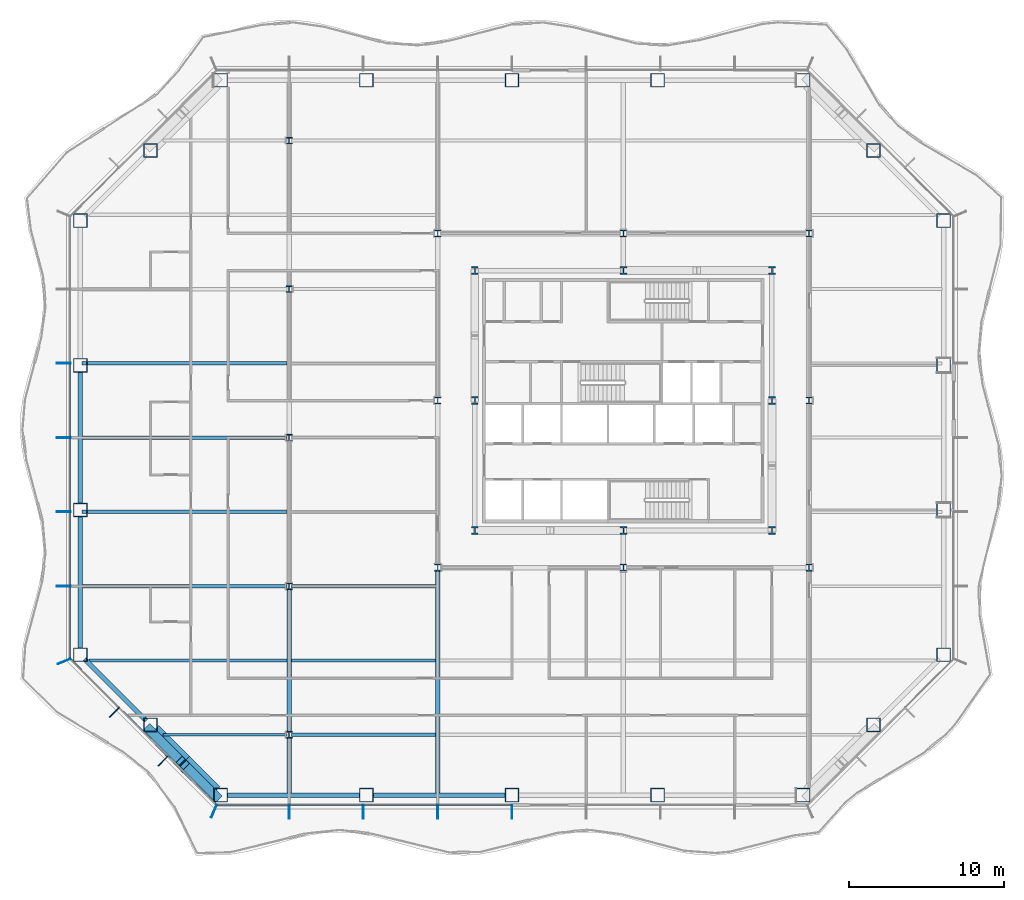
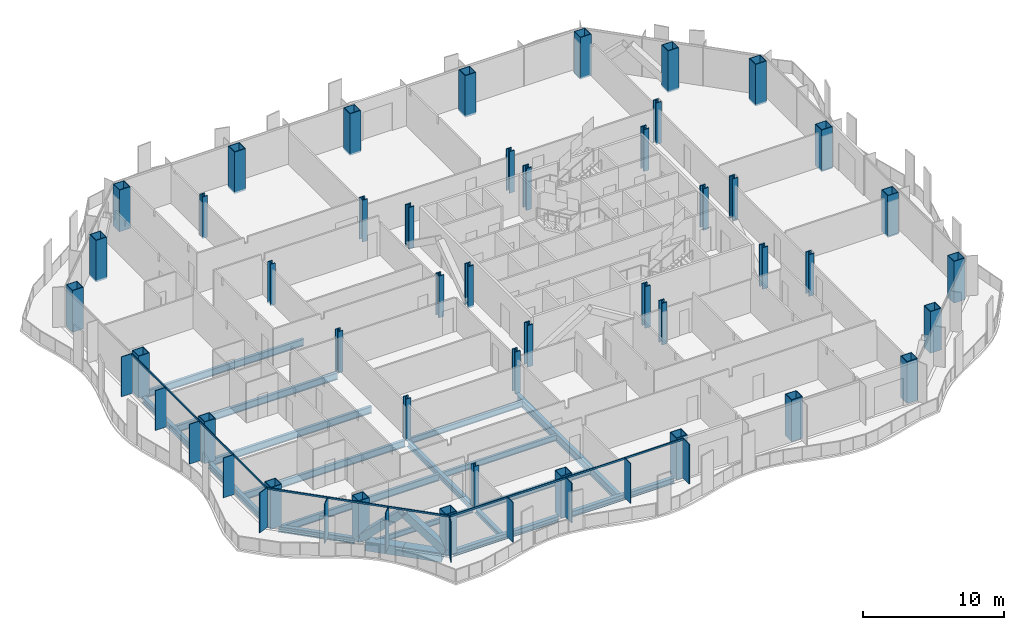
# One storey, part 1 of 17: 43 columns, 25 members, 19 beams, 3 elements without a shape of their own.
"""IFC4 building model written with IfcOpenShell, lengths in metres."""

from ifc_helpers import new_model, si_unit, direction, frame, origin, origin_2d, place, context, subcontext, project, spatial, rectangle, hollow_rectangle, i_section, extrude, material, material_profile, profile_set, type_object, element, aggregate, save


model = new_model("IFC4")

# Units and contexts
model_context = context("Model", 3, precision=1e-05, world=origin(), true_north=direction((0.0, 1.0)))
body_context = subcontext(model_context, "Body", "Model", "MODEL_VIEW")
ifc_project = project(units=[si_unit("LENGTHUNIT", "METRE"), si_unit("AREAUNIT", "SQUARE_METRE"), si_unit("VOLUMEUNIT", "CUBIC_METRE"), si_unit("PLANEANGLEUNIT", "RADIAN"), si_unit("MASSUNIT", "GRAM", prefix="KILO")], contexts=[model_context])

# Site, building, storey
site_placement = place(None, origin())
site = spatial("IfcSite", under=ifc_project, at=site_placement, CompositionType="ELEMENT")
building_placement = place(site_placement, origin())
building = spatial("IfcBuilding", under=site, at=building_placement, Name="Cairn Pilgrim Tower", CompositionType="ELEMENT")
storey_placement = place(building_placement, frame((0.0, 0.0, 79.800048828125)))
storey = spatial("IfcBuildingStorey", under=building, at=storey_placement, Name="L18", CompositionType="ELEMENT", Elevation=79.800048828125)

# Columns
ifc_material_1 = material(Name="Structural steel S460M", Category="steel")
ifc_material_profile_1 = material_profile(ifc_material_1, hollow_rectangle(XDim=0.89990234375, YDim=0.89990234375, WallThickness=0.050048828125, at=origin_2d()), Name="BOX 900x900x50")
ifc_profile_set_1 = profile_set([ifc_material_profile_1], Name="Structural steel S460M")
column_type_1 = type_object("IfcColumnType", Name="BOX 900x900x50", PredefinedType="COLUMN", material=ifc_profile_set_1)
for number, where, z_axis, x_axis, name in (
    (1, (-18.8271484375, -23.10009765625, -0.150146484375), (0.0, 0.0, 1.0), (1.0, 0.0, 0.0), "PC1-S1"),
    (2, (-9.41357421875, -23.10009765625, -0.150146484375), (0.0, 0.0, 1.0), (1.0, 0.0, 0.0), "PC1-S2"),
    (3, (0.0, -23.10009765625, -0.150146484375), (0.0, 0.0, 1.0), (1.0, 0.0, 0.0), "PC1-S3"),
    (4, (9.41357421875, -23.10009765625, -0.150146484375), (0.0, 0.0, 1.0), (1.0, 0.0, 0.0), "PC1-S4"),
    (5, (18.8271484375, -23.10009765625, -0.150146484375), (0.0, 0.0, 1.0), (1.0, 0.0, 0.0), "PC1-SE1"),
    (6, (23.363525390625, -18.563720703125, -0.150146484375), (0.0, 0.0, 1.0), (1.0, 0.0, 0.0), "PC1-SE2"),
    (7, (27.89990234375, -14.027099609375, -0.150146484375), (0.0, 0.0, 1.0), (1.0, 0.0, 0.0), "PC1-E1"),
    (8, (27.89990234375, -4.67578125, -0.150146484375), (0.0, 0.0, 1.0), (1.0, 0.0, 0.0), "PC1-E2"),
    (9, (27.89990234375, 4.67578125, -0.150146484375), (0.0, 0.0, 1.0), (1.0, 0.0, 0.0), "PC1-E3"),
    (10, (27.89990234375, 14.027099609375, -0.150146484375), (0.0, 0.0, 1.0), (1.0, 0.0, 0.0), "PC1-NE1"),
    (11, (23.363525390625, 18.563720703125, -0.150146484375), (0.0, 0.0, 1.0), (1.0, 0.0, 0.0), "PC1-NE2"),
    (12, (18.8271484375, 23.10009765625, -0.150146484375), (0.0, 0.0, 1.0), (1.0, 0.0, 0.0), "PC1-N1"),
    (13, (9.41357421875, 23.10009765625, -0.150146484375), (0.0, 0.0, 1.0), (1.0, 0.0, 0.0), "PC1-N2"),
    (14, (0.0, 23.10009765625, -0.150146484375), (0.0, 0.0, 1.0), (1.0, 0.0, 0.0), "PC1-N3"),
    (15, (-9.41357421875, 23.10009765625, -0.150146484375), (0.0, 0.0, 1.0), (1.0, 0.0, 0.0), "PC1-N4"),
    (16, (-18.8271484375, 23.10009765625, -0.150146484375), (0.0, 0.0, 1.0), (1.0, 0.0, 0.0), "PC1-NW1"),
    (17, (-23.363525390625, 18.563720703125, -0.150146484375), (0.0, 0.0, 1.0), (1.0, 0.0, 0.0), "PC1-NW2"),
    (18, (-27.89990234375, 14.027099609375, -0.150146484375), (0.0, 0.0, 1.0), (1.0, 0.0, 0.0), "PC1-W1"),
    (19, (-27.89990234375, 4.67578125, -0.150146484375), (0.0, 0.0, 1.0), (1.0, 0.0, 0.0), "PC1-W2"),
    (20, (-27.89990234375, -4.67578125, -0.150146484375), (0.0, 0.0, 1.0), (1.0, 0.0, 0.0), "PC1-W3"),
    (21, (-27.89990234375, -14.027099609375, -0.150146484375), (0.0, 0.0, 1.0), (1.0, 0.0, 0.0), "PC1-SW1"),
    (22, (-23.363525390625, -18.563720703125, -0.150146484375), (0.0, 0.0, 1.0), (1.0, 0.0, 0.0), "PC1-SW2"),
):
    element("IfcColumn", number, at=place(storey_placement, frame(where, z_axis=z_axis, x_axis=x_axis)), inside=storey, type_object=column_type_1, Name=name, PredefinedType="COLUMN", context=body_context, shape_type="SweptSolid", body=[
        extrude(hollow_rectangle(XDim=0.89990234375, YDim=0.89990234375, WallThickness=0.050048828125, at=origin_2d()), origin(), (0.0, 0.0, 1.0), 3.60009765625),
    ])
ifc_material_profile_2 = material_profile(ifc_material_1, i_section(OverallWidth=0.408935546875, OverallDepth=0.425048828125, WebThickness=0.03271484375, FlangeThickness=0.052490234375, FilletRadius=0.014892578125, at=origin_2d()), Name="HD 400x421")
ifc_profile_set_2 = profile_set([ifc_material_profile_2], Name="Structural steel S460M")
column_type_2 = type_object("IfcColumnType", Name="HD 400x421", PredefinedType="COLUMN", material=ifc_profile_set_2)
for number, where, z_axis, x_axis, name in (
    (23, (-14.39990234375, -19.199951171875, -0.150146484375), (0.0, 0.0, 1.0), (1.0, 0.0, 0.0), "WC-WW-4"),
    (24, (-14.39990234375, -9.60009765625, -0.150146484375), (0.0, 0.0, 1.0), (1.0, 0.0, 0.0), "WC-WW-2"),
    (25, (-14.39990234375, 0.0, -0.150146484375), (0.0, 0.0, 1.0), (1.0, 0.0, 0.0), "WC-WW+0"),
    (26, (-14.39990234375, 9.60009765625, -0.150146484375), (0.0, 0.0, 1.0), (1.0, 0.0, 0.0), "WC-WW+2"),
    (27, (-14.39990234375, 19.199951171875, -0.150146484375), (0.0, 0.0, 1.0), (1.0, 0.0, 0.0), "WC-WW+4"),
):
    element("IfcColumn", number, at=place(storey_placement, frame(where, z_axis=z_axis, x_axis=x_axis)), inside=storey, type_object=column_type_2, Name=name, PredefinedType="COLUMN", context=body_context, shape_type="SweptSolid", body=[
        extrude(i_section(OverallWidth=0.408935546875, OverallDepth=0.425048828125, WebThickness=0.03271484375, FlangeThickness=0.052490234375, FilletRadius=0.014892578125, at=origin_2d()), origin(), (0.0, 0.0, 1.0), 3.60009765625),
    ])
ifc_material_profile_3 = material_profile(ifc_material_1, i_section(OverallWidth=0.424072265625, OverallDepth=0.47412109375, WebThickness=0.047607421875, FlangeThickness=0.0771484375, FilletRadius=0.014892578125, at=origin_2d()), Name="HD 400x634")
ifc_profile_set_3 = profile_set([ifc_material_profile_3], Name="Structural steel S460M")
column_type_3 = type_object("IfcColumnType", Name="HD 400x634", PredefinedType="COLUMN", material=ifc_profile_set_3)
for number, where, z_axis, x_axis, name in (
    (28, (-4.800048828125, -8.39990234375, -0.150146484375), (0.0, 0.0, 1.0), (1.0, 0.0, 0.0), "IC-1"),
    (29, (7.199951171875, -8.39990234375, -0.150146484375), (0.0, 0.0, 1.0), (1.0, 0.0, 0.0), "IC-2"),
    (30, (19.199951171875, -8.39990234375, -0.150146484375), (0.0, 0.0, 1.0), (1.0, 0.0, 0.0), "IC-3"),
    (31, (-4.800048828125, 2.39990234375, -0.150146484375), (0.0, 0.0, 1.0), (1.0, 0.0, 0.0), "IC-4"),
    (32, (19.199951171875, 2.39990234375, -0.150146484375), (0.0, 0.0, 1.0), (1.0, 0.0, 0.0), "IC-5"),
    (33, (-4.800048828125, 13.199951171875, -0.150146484375), (0.0, 0.0, 1.0), (1.0, 0.0, 0.0), "IC-6"),
    (34, (7.199951171875, 13.199951171875, -0.150146484375), (0.0, 0.0, 1.0), (1.0, 0.0, 0.0), "IC-7"),
    (35, (19.199951171875, 13.199951171875, -0.150146484375), (0.0, 0.0, 1.0), (1.0, 0.0, 0.0), "IC-8"),
):
    element("IfcColumn", number, at=place(storey_placement, frame(where, z_axis=z_axis, x_axis=x_axis)), inside=storey, type_object=column_type_3, Name=name, PredefinedType="COLUMN", context=body_context, shape_type="SweptSolid", body=[
        extrude(i_section(OverallWidth=0.424072265625, OverallDepth=0.47412109375, WebThickness=0.047607421875, FlangeThickness=0.0771484375, FilletRadius=0.014892578125, at=origin_2d()), origin(), (0.0, 0.0, 1.0), 3.60009765625),
    ])
ifc_material_profile_4 = material_profile(ifc_material_1, i_section(OverallWidth=0.43701171875, OverallDepth=0.513916015625, WebThickness=0.060546875, FlangeThickness=0.096923828125, FilletRadius=0.014892578125, at=origin_2d()), Name="HD 400x818")
ifc_profile_set_4 = profile_set([ifc_material_profile_4], Name="Structural steel S460M")
column_type_4 = type_object("IfcColumnType", Name="HD 400x818", PredefinedType="COLUMN", material=ifc_profile_set_4)
for number, where, z_axis, x_axis, name in (
    (36, (-2.39990234375, -6.0, -0.150146484375), (0.0, 0.0, 1.0), (1.0, 0.0, 0.0), "KC-1"),
    (37, (7.199951171875, -6.0, -0.150146484375), (0.0, 0.0, 1.0), (1.0, 0.0, 0.0), "KC-2"),
    (38, (16.800048828125, -6.0, -0.150146484375), (0.0, 0.0, 1.0), (1.0, 0.0, 0.0), "KC-3"),
    (39, (-2.39990234375, 2.39990234375, -0.150146484375), (0.0, 0.0, 1.0), (1.0, 0.0, 0.0), "KC-4"),
    (40, (16.800048828125, 2.39990234375, -0.150146484375), (0.0, 0.0, 1.0), (1.0, 0.0, 0.0), "KC-5"),
    (41, (-2.39990234375, 10.800048828125, -0.150146484375), (0.0, 0.0, 1.0), (1.0, 0.0, 0.0), "KC-6"),
    (42, (7.199951171875, 10.800048828125, -0.150146484375), (0.0, 0.0, 1.0), (1.0, 0.0, 0.0), "KC-7"),
    (43, (16.800048828125, 10.800048828125, -0.150146484375), (0.0, 0.0, 1.0), (1.0, 0.0, 0.0), "KC-8"),
):
    element("IfcColumn", number, at=place(storey_placement, frame(where, z_axis=z_axis, x_axis=x_axis)), inside=storey, type_object=column_type_4, Name=name, PredefinedType="COLUMN", context=body_context, shape_type="SweptSolid", body=[
        extrude(i_section(OverallWidth=0.43701171875, OverallDepth=0.513916015625, WebThickness=0.060546875, FlangeThickness=0.096923828125, FilletRadius=0.014892578125, at=origin_2d()), origin(), (0.0, 0.0, 1.0), 3.60009765625),
    ])

# Members
ifc_material_profile_5 = material_profile(ifc_material_1, hollow_rectangle(XDim=0.60009765625, YDim=0.60009765625, WallThickness=0.034912109375, at=origin_2d()), Name="BOX 600x600x35")
ifc_profile_set_5 = profile_set([ifc_material_profile_5], Name="Structural steel S460M")
member_type_1 = type_object("IfcMemberType", Name="BOX 600x600x35 BRACE", PredefinedType="BRACE", material=ifc_profile_set_5)
for number, where, z_axis, x_axis, name in (
    (44, (-23.4873046875, -18.814697265625, 0.14990234375), (0.528939327604, -0.528877844478, 0.663710338426), (0.70706568108, 0.707147878904, 0.0), "XB-SW2-S1-1"),
    (45, (-19.078125, -23.2236328125, 0.14990234375), (-0.52892212789, 0.52892212789, 0.663688756314), (-0.707106781187, -0.707106781187, 0.0), "XB-SW2-S1-2"),
):
    element("IfcMember", number, at=place(storey_placement, frame(where, z_axis=z_axis, x_axis=x_axis)), inside=storey, type_object=member_type_1, Name=name, PredefinedType="BRACE", context=body_context, shape_type="SweptSolid", body=[
        extrude(hollow_rectangle(XDim=0.60009765625, YDim=0.60009765625, WallThickness=0.034912109375, at=origin_2d()), origin(), (0.0, 0.0, 1.0), 3.970947265625),
    ])

# Beams
ifc_material_2 = material(Name="Structural steel S355J2", Category="steel")
ifc_material_profile_6 = material_profile(ifc_material_2, hollow_rectangle(XDim=0.699951171875, YDim=0.800048828125, WallThickness=0.0400390625, at=origin_2d()), Name="BOX 700x800x40")
ifc_profile_set_6 = profile_set([ifc_material_profile_6], Name="Structural steel S355J2")
beam_type_1 = type_object("IfcBeamType", Name="BOX 700x800x40 RING GIRDER", PredefinedType="SPANDREL", material=ifc_profile_set_6)
beam_1_placement = place(storey_placement, frame((-23.0771484375, -18.85009765625, -0.550048828125), z_axis=(0.707106781187, -0.707106781187, 0.0), x_axis=(0.707106781187, 0.707106781187, 0.0)))
element("IfcBeam", 46, at=beam_1_placement, inside=storey, type_object=beam_type_1, Name="RG1-SW2-S1-1", PredefinedType="SPANDREL", context=body_context, shape_type="SweptSolid", body=[
    extrude(hollow_rectangle(XDim=0.699951171875, YDim=0.800048828125, WallThickness=0.0400390625, at=origin_2d()), origin(), (0.0, 0.0, 1.0), 2.802490234375),
])
beam_2_placement = place(storey_placement, frame((-21.095458984375, -20.831787109375, -0.550048828125), z_axis=(0.707106781187, -0.707106781187, 0.0), x_axis=(0.707106781187, 0.707106781187, 0.0)))
element("IfcBeam", 47, at=beam_2_placement, inside=storey, type_object=beam_type_1, Name="RG1-SW2-S1-2", PredefinedType="SPANDREL", context=body_context, shape_type="SweptSolid", body=[
    extrude(hollow_rectangle(XDim=0.699951171875, YDim=0.800048828125, WallThickness=0.0400390625, at=origin_2d()), origin(), (0.0, 0.0, 1.0), 2.802978515625),
])

# Curtain wall, members
ifc_material_3 = material(Name="Aluminium alloy 6063-T6 bronze anodised with Bronze tinted laminated low-E glass 8+16+8.8", Category="aluminium")
curtain_wall_type_1 = type_object("IfcCurtainWallType", Name="TOWER STICK CURTAIN WALL NS", PredefinedType="NOTDEFINED", material=ifc_material_3)
curtain_wall_1_placement = place(storey_placement, origin())
curtain_wall_1 = element("IfcCurtainWall", 48, at=curtain_wall_1_placement, inside=storey, type_object=curtain_wall_type_1, Name="Tower Stick Curtain Wall Ns S", PredefinedType="NOTDEFINED")
ifc_material_4 = material(Name="Aluminium alloy 6063-T6 bronze anodised", Category="aluminium")
ifc_material_profile_7 = material_profile(ifc_material_4, rectangle(XDim=0.89990234375, YDim=0.06005859375, at=origin_2d()), Name="FIN MULLION 60x900 BRONZE")
ifc_profile_set_7 = profile_set([ifc_material_profile_7], Name="Aluminium alloy 6063-T6 bronze anodised")
member_type_2 = type_object("IfcMemberType", Name="FIN MULLION 60x900 BRONZE", PredefinedType="MULLION", material=ifc_profile_set_7)
member_1_placement = place(storey_placement, frame((-19.257080078125, -24.137939453125, 0.0), z_axis=(0.0, 0.0, 1.0), x_axis=(-0.382683432365, -0.923879532511, 0.0)))
member_1 = element("IfcMember", 49, at=member_1_placement, type_object=member_type_2, Name="Fin mullion S1", PredefinedType="MULLION", context=body_context, shape_type="SweptSolid", body=[
    extrude(rectangle(XDim=0.89990234375, YDim=0.06005859375, at=origin_2d()), origin(), (0.0, 0.0, 1.0), 3.449951171875),
])
member_2_placement = place(storey_placement, frame((-14.39990234375, -24.169921875, 0.0), z_axis=(0.0, 0.0, 1.0), x_axis=(0.0, -1.0, 0.0)))
member_2 = element("IfcMember", 50, at=member_2_placement, type_object=member_type_2, Name="Fin mullion S2", PredefinedType="MULLION", context=body_context, shape_type="SweptSolid", body=[
    extrude(rectangle(XDim=0.89990234375, YDim=0.06005859375, at=origin_2d()), origin(), (0.0, 0.0, 1.0), 3.449951171875),
])
member_3_placement = place(storey_placement, frame((-9.60009765625, -24.169921875, 0.0), z_axis=(0.0, 0.0, 1.0), x_axis=(0.0, -1.0, 0.0)))
member_3 = element("IfcMember", 51, at=member_3_placement, type_object=member_type_2, Name="Fin mullion S3", PredefinedType="MULLION", context=body_context, shape_type="SweptSolid", body=[
    extrude(rectangle(XDim=0.89990234375, YDim=0.06005859375, at=origin_2d()), origin(), (0.0, 0.0, 1.0), 3.449951171875),
])
member_4_placement = place(storey_placement, frame((-4.800048828125, -24.169921875, 0.0), z_axis=(0.0, 0.0, 1.0), x_axis=(0.0, -1.0, 0.0)))
member_4 = element("IfcMember", 52, at=member_4_placement, type_object=member_type_2, Name="Fin mullion S4", PredefinedType="MULLION", context=body_context, shape_type="SweptSolid", body=[
    extrude(rectangle(XDim=0.89990234375, YDim=0.06005859375, at=origin_2d()), origin(), (0.0, 0.0, 1.0), 3.449951171875),
])
member_5_placement = place(storey_placement, frame((0.0, -24.169921875, 0.0), z_axis=(0.0, 0.0, 1.0), x_axis=(0.0, -1.0, 0.0)))
member_5 = element("IfcMember", 53, at=member_5_placement, type_object=member_type_2, Name="Fin mullion S5", PredefinedType="MULLION", context=body_context, shape_type="SweptSolid", body=[
    extrude(rectangle(XDim=0.89990234375, YDim=0.06005859375, at=origin_2d()), origin(), (0.0, 0.0, 1.0), 3.449951171875),
])

curtain_wall_type_2 = type_object("IfcCurtainWallType", Name="TOWER STICK CURTAIN WALL EW", PredefinedType="NOTDEFINED", material=ifc_material_3)
curtain_wall_2_placement = place(storey_placement, origin())
curtain_wall_2 = element("IfcCurtainWall", 54, at=curtain_wall_2_placement, inside=storey, type_object=curtain_wall_type_2, Name="Tower Stick Curtain Wall Ew W", PredefinedType="NOTDEFINED")
member_6_placement = place(storey_placement, frame((-28.969970703125, 4.800048828125, 0.0), z_axis=(0.0, 0.0, 1.0), x_axis=(-1.0, 0.0, 0.0)))
member_6 = element("IfcMember", 55, at=member_6_placement, type_object=member_type_2, Name="Fin mullion W3", PredefinedType="MULLION", context=body_context, shape_type="SweptSolid", body=[
    extrude(rectangle(XDim=0.89990234375, YDim=0.06005859375, at=origin_2d()), origin(), (0.0, 0.0, 1.0), 3.449951171875),
])
member_7_placement = place(storey_placement, frame((-28.969970703125, 0.0, 0.0), z_axis=(0.0, 0.0, 1.0), x_axis=(-1.0, 0.0, 0.0)))
member_7 = element("IfcMember", 56, at=member_7_placement, type_object=member_type_2, Name="Fin mullion W4", PredefinedType="MULLION", context=body_context, shape_type="SweptSolid", body=[
    extrude(rectangle(XDim=0.89990234375, YDim=0.06005859375, at=origin_2d()), origin(), (0.0, 0.0, 1.0), 3.449951171875),
])
member_8_placement = place(storey_placement, frame((-28.969970703125, -4.800048828125, 0.0), z_axis=(0.0, 0.0, 1.0), x_axis=(-1.0, 0.0, 0.0)))
member_8 = element("IfcMember", 57, at=member_8_placement, type_object=member_type_2, Name="Fin mullion W5", PredefinedType="MULLION", context=body_context, shape_type="SweptSolid", body=[
    extrude(rectangle(XDim=0.89990234375, YDim=0.06005859375, at=origin_2d()), origin(), (0.0, 0.0, 1.0), 3.449951171875),
])
member_9_placement = place(storey_placement, frame((-28.969970703125, -9.60009765625, 0.0), z_axis=(0.0, 0.0, 1.0), x_axis=(-1.0, 0.0, 0.0)))
member_9 = element("IfcMember", 58, at=member_9_placement, type_object=member_type_2, Name="Fin mullion W6", PredefinedType="MULLION", context=body_context, shape_type="SweptSolid", body=[
    extrude(rectangle(XDim=0.89990234375, YDim=0.06005859375, at=origin_2d()), origin(), (0.0, 0.0, 1.0), 3.449951171875),
])

curtain_wall_type_3 = type_object("IfcCurtainWallType", Name="CHAMFER CORNER CURTAIN WALL", PredefinedType="NOTDEFINED", material=ifc_material_3)
curtain_wall_3_placement = place(storey_placement, origin())
curtain_wall_3 = element("IfcCurtainWall", 59, at=curtain_wall_3_placement, inside=storey, type_object=curtain_wall_type_3, Name="Chamfer Corner Curtain Wall SW", PredefinedType="NOTDEFINED")
member_10_placement = place(storey_placement, frame((-28.93798828125, -14.457275390625, 0.0), z_axis=(0.0, 0.0, 1.0), x_axis=(-0.923879532511, -0.382683432365, 0.0)))
member_10 = element("IfcMember", 60, at=member_10_placement, type_object=member_type_2, Name="Fin mullion SW1", PredefinedType="MULLION", context=body_context, shape_type="SweptSolid", body=[
    extrude(rectangle(XDim=0.89990234375, YDim=0.06005859375, at=origin_2d()), origin(), (0.0, 0.0, 1.0), 3.449951171875),
])
member_11_placement = place(storey_placement, frame((-25.69580078125, -17.74462890625, 0.0), z_axis=(0.0, 0.0, 1.0), x_axis=(-0.707106781187, -0.707106781187, 0.0)))
member_11 = element("IfcMember", 61, at=member_11_placement, type_object=member_type_2, Name="Fin mullion SW2", PredefinedType="MULLION", context=body_context, shape_type="SweptSolid", body=[
    extrude(rectangle(XDim=0.89990234375, YDim=0.06005859375, at=origin_2d()), origin(), (0.0, 0.0, 1.0), 3.449951171875),
])
member_12_placement = place(storey_placement, frame((-22.544677734375, -20.895751953125, 0.0), z_axis=(0.0, 0.0, 1.0), x_axis=(-0.707106781187, -0.707106781187, 0.0)))
member_12 = element("IfcMember", 62, at=member_12_placement, type_object=member_type_2, Name="Fin mullion SW3", PredefinedType="MULLION", context=body_context, shape_type="SweptSolid", body=[
    extrude(rectangle(XDim=0.89990234375, YDim=0.06005859375, at=origin_2d()), origin(), (0.0, 0.0, 1.0), 3.449951171875),
])

# Beams
ifc_material_profile_8 = material_profile(ifc_material_2, i_section(OverallWidth=0.300048828125, OverallDepth=0.39990234375, WebThickness=0.013427734375, FlangeThickness=0.02392578125, FilletRadius=0.027099609375, at=origin_2d()), Name="HEB 400")
ifc_profile_set_8 = profile_set([ifc_material_profile_8], Name="Structural steel S355J2")
beam_type_2 = type_object("IfcBeamType", Name="HEB 400 GIRDER", PredefinedType="BEAM", material=ifc_profile_set_8)
beam_3_placement = place(storey_placement, frame((-14.39990234375, -22.97998046875, -0.35009765625), z_axis=(0.0, 1.0, 0.0), x_axis=(-1.0, 0.0, 0.0)))
element("IfcBeam", 63, at=beam_3_placement, inside=storey, type_object=beam_type_2, Name="PG1-1", PredefinedType="BEAM", context=body_context, shape_type="SweptSolid", body=[
    extrude(i_section(OverallWidth=0.300048828125, OverallDepth=0.39990234375, WebThickness=0.013427734375, FlangeThickness=0.02392578125, FilletRadius=0.027099609375, at=origin_2d()), origin(), (0.0, 0.0, 1.0), 3.575439453125),
])
ifc_material_profile_9 = material_profile(ifc_material_2, i_section(OverallWidth=0.300048828125, OverallDepth=0.5, WebThickness=0.014404296875, FlangeThickness=0.028076171875, FilletRadius=0.027099609375, at=origin_2d()), Name="HEB 500")
ifc_profile_set_9 = profile_set([ifc_material_profile_9], Name="Structural steel S355J2")
beam_type_3 = type_object("IfcBeamType", Name="HEB 500 GIRDER", PredefinedType="BEAM", material=ifc_profile_set_9)
beam_4_placement = place(storey_placement, frame((-14.39990234375, -18.99560546875, -0.400146484375), z_axis=(0.0, 1.0, 0.0), x_axis=(-1.0, 0.0, 0.0)))
element("IfcBeam", 64, at=beam_4_placement, inside=storey, type_object=beam_type_3, Name="PG1-2", PredefinedType="BEAM", context=body_context, shape_type="SweptSolid", body=[
    extrude(i_section(OverallWidth=0.300048828125, OverallDepth=0.5, WebThickness=0.014404296875, FlangeThickness=0.028076171875, FilletRadius=0.027099609375, at=origin_2d()), origin(), (0.0, 0.0, 1.0), 9.191162109375),
])
ifc_material_profile_10 = material_profile(ifc_material_2, i_section(OverallWidth=0.300048828125, OverallDepth=0.5, WebThickness=0.014404296875, FlangeThickness=0.028076171875, FilletRadius=0.027099609375, at=origin_2d()), Name="HEB 500")
ifc_profile_set_10 = profile_set([ifc_material_profile_10], Name="Structural steel S355J2")
beam_type_4 = type_object("IfcBeamType", Name="HEB 500 RING GIRDER", PredefinedType="SPANDREL", material=ifc_profile_set_10)
for number, where, z_axis, x_axis, name in (
    (65, (-18.422119140625, -23.10009765625, -0.400146484375), (1.0, 0.0, 0.0), (0.0, 1.0, 0.0), "RG1-S1-S2"),
    (66, (-9.008544921875, -23.10009765625, -0.400146484375), (1.0, 0.0, 0.0), (0.0, 1.0, 0.0), "RG1-S2-S3"),
):
    element("IfcBeam", number, at=place(storey_placement, frame(where, z_axis=z_axis, x_axis=x_axis)), inside=storey, type_object=beam_type_4, Name=name, PredefinedType="SPANDREL", context=body_context, shape_type="SweptSolid", body=[
        extrude(i_section(OverallWidth=0.300048828125, OverallDepth=0.5, WebThickness=0.014404296875, FlangeThickness=0.028076171875, FilletRadius=0.027099609375, at=origin_2d()), origin(), (0.0, 0.0, 1.0), 8.603515625),
    ])
for number, where, z_axis, x_axis, name in (
    (67, (-27.89990234375, 4.270751953125, -0.400146484375), (0.0, -1.0, 0.0), (1.0, 0.0, 0.0), "RG1-W2-W3"),
    (68, (-27.89990234375, -5.080810546875, -0.400146484375), (0.0, -1.0, 0.0), (1.0, 0.0, 0.0), "RG1-W3-SW1"),
):
    element("IfcBeam", number, at=place(storey_placement, frame(where, z_axis=z_axis, x_axis=x_axis)), inside=storey, type_object=beam_type_4, Name=name, PredefinedType="SPANDREL", context=body_context, shape_type="SweptSolid", body=[
        extrude(i_section(OverallWidth=0.300048828125, OverallDepth=0.5, WebThickness=0.014404296875, FlangeThickness=0.028076171875, FilletRadius=0.027099609375, at=origin_2d()), origin(), (0.0, 0.0, 1.0), 8.54150390625),
    ])
beam_5_placement = place(storey_placement, frame((-27.613525390625, -14.313720703125, -0.400146484375), z_axis=(0.707128558756, -0.707085002947, 0.0), x_axis=(0.707085002947, 0.707128558756, 0.0)))
element("IfcBeam", 69, at=beam_5_placement, inside=storey, type_object=beam_type_4, Name="RG1-SW1-SW2", PredefinedType="SPANDREL", context=body_context, shape_type="SweptSolid", body=[
    extrude(i_section(OverallWidth=0.300048828125, OverallDepth=0.5, WebThickness=0.014404296875, FlangeThickness=0.028076171875, FilletRadius=0.027099609375, at=origin_2d()), origin(), (0.0, 0.0, 1.0), 5.605224609375),
])
ifc_material_profile_11 = material_profile(ifc_material_2, i_section(OverallWidth=0.300048828125, OverallDepth=0.699951171875, WebThickness=0.01708984375, FlangeThickness=0.031982421875, FilletRadius=0.027099609375, at=origin_2d()), Name="HEB 700")
ifc_profile_set_11 = profile_set([ifc_material_profile_11], Name="Structural steel S355J2")
beam_type_5 = type_object("IfcBeamType", Name="HEB 700 GIRDER", PredefinedType="BEAM", material=ifc_profile_set_11)
beam_6_placement = place(storey_placement, frame((-4.800048828125, -22.97998046875, -0.5), z_axis=(0.0, 1.0, 0.0), x_axis=(-1.0, 0.0, 0.0)))
element("IfcBeam", 70, at=beam_6_placement, inside=storey, type_object=beam_type_5, Name="PG2-1", PredefinedType="BEAM", context=body_context, shape_type="SweptSolid", body=[
    extrude(i_section(OverallWidth=0.300048828125, OverallDepth=0.699951171875, WebThickness=0.01708984375, FlangeThickness=0.031982421875, FilletRadius=0.027099609375, at=origin_2d()), origin(), (0.0, 0.0, 1.0), 14.367919921875),
])
ifc_material_profile_12 = material_profile(ifc_material_2, i_section(OverallWidth=0.18994140625, OverallDepth=0.449951171875, WebThickness=0.009521484375, FlangeThickness=0.0146484375, FilletRadius=0.02099609375, at=origin_2d()), Name="IPE 450")
ifc_profile_set_12 = profile_set([ifc_material_profile_12], Name="Structural steel S355J2")
beam_type_6 = type_object("IfcBeamType", Name="IPE 450 SECONDARY BEAM", PredefinedType="JOIST", material=ifc_profile_set_12)
beam_7_placement = place(storey_placement, frame((-22.545166015625, -19.199951171875, -0.375), z_axis=(1.0, 0.0, 0.0), x_axis=(0.0, 1.0, 0.0)))
element("IfcBeam", 71, at=beam_7_placement, inside=storey, type_object=beam_type_6, Name="SB1-1", PredefinedType="JOIST", context=body_context, shape_type="SweptSolid", body=[
    extrude(i_section(OverallWidth=0.18994140625, OverallDepth=0.449951171875, WebThickness=0.009521484375, FlangeThickness=0.0146484375, FilletRadius=0.02099609375, at=origin_2d()), origin(), (0.0, 0.0, 1.0), 7.9951171875),
])
ifc_material_profile_13 = material_profile(ifc_material_2, i_section(OverallWidth=0.199951171875, OverallDepth=0.5, WebThickness=0.01025390625, FlangeThickness=0.01611328125, FilletRadius=0.02099609375, at=origin_2d()), Name="IPE 500")
ifc_profile_set_13 = profile_set([ifc_material_profile_13], Name="Structural steel S355J2")
beam_type_7 = type_object("IfcBeamType", Name="IPE 500 SECONDARY BEAM", PredefinedType="JOIST", material=ifc_profile_set_13)
for number, where, z_axis, x_axis, name in (
    (72, (-14.25, -19.199951171875, -0.400146484375), (1.0, 0.0, 0.0), (0.0, 1.0, 0.0), "SB1-2"),
    (73, (-14.25, -14.39990234375, -0.400146484375), (1.0, 0.0, 0.0), (0.0, 1.0, 0.0), "SB2-2"),
    (74, (-14.25, -9.60009765625, -0.400146484375), (1.0, 0.0, 0.0), (0.0, 1.0, 0.0), "SB3-2"),
):
    element("IfcBeam", number, at=place(storey_placement, frame(where, z_axis=z_axis, x_axis=x_axis)), inside=storey, type_object=beam_type_7, Name=name, PredefinedType="JOIST", context=body_context, shape_type="SweptSolid", body=[
        extrude(i_section(OverallWidth=0.199951171875, OverallDepth=0.5, WebThickness=0.01025390625, FlangeThickness=0.01611328125, FilletRadius=0.02099609375, at=origin_2d()), origin(), (0.0, 0.0, 1.0), 9.300048828125),
    ])
ifc_material_profile_14 = material_profile(ifc_material_2, i_section(OverallWidth=0.219970703125, OverallDepth=0.60009765625, WebThickness=0.011962890625, FlangeThickness=0.01904296875, FilletRadius=0.02392578125, at=origin_2d()), Name="IPE 600")
ifc_profile_set_14 = profile_set([ifc_material_profile_14], Name="Structural steel S355J2")
beam_type_8 = type_object("IfcBeamType", Name="IPE 600 SECONDARY BEAM", PredefinedType="JOIST", material=ifc_profile_set_14)
beam_8_placement = place(storey_placement, frame((-27.34521484375, -14.39990234375, -0.449951171875), z_axis=(1.0, 0.0, 0.0), x_axis=(0.0, 1.0, 0.0)))
element("IfcBeam", 75, at=beam_8_placement, inside=storey, type_object=beam_type_8, Name="SB2-1", PredefinedType="JOIST", context=body_context, shape_type="SweptSolid", body=[
    extrude(i_section(OverallWidth=0.219970703125, OverallDepth=0.60009765625, WebThickness=0.011962890625, FlangeThickness=0.01904296875, FilletRadius=0.02392578125, at=origin_2d()), origin(), (0.0, 0.0, 1.0), 12.795166015625),
])
for number, where, z_axis, x_axis, name in (
    (76, (-27.780029296875, -9.60009765625, -0.449951171875), (1.0, 0.0, 0.0), (0.0, 1.0, 0.0), "SB3-1"),
    (77, (-27.780029296875, -4.800048828125, -0.449951171875), (1.0, 0.0, 0.0), (0.0, 1.0, 0.0), "SB4-1"),
    (78, (-27.780029296875, 0.0, -0.449951171875), (1.0, 0.0, 0.0), (0.0, 1.0, 0.0), "SB5-1"),
    (79, (-27.780029296875, 4.800048828125, -0.449951171875), (1.0, 0.0, 0.0), (0.0, 1.0, 0.0), "SB6-1"),
):
    element("IfcBeam", number, at=place(storey_placement, frame(where, z_axis=z_axis, x_axis=x_axis)), inside=storey, type_object=beam_type_8, Name=name, PredefinedType="JOIST", context=body_context, shape_type="SweptSolid", body=[
        extrude(i_section(OverallWidth=0.219970703125, OverallDepth=0.60009765625, WebThickness=0.011962890625, FlangeThickness=0.01904296875, FilletRadius=0.02392578125, at=origin_2d()), origin(), (0.0, 0.0, 1.0), 13.22998046875),
    ])

# Member
ifc_material_profile_15 = material_profile(ifc_material_4, rectangle(XDim=0.080078125, YDim=0.14990234375, at=origin_2d()), Name="TRANSOM 80x150 BRONZE")
ifc_profile_set_15 = profile_set([ifc_material_profile_15], Name="Aluminium alloy 6063-T6 bronze anodised")
member_type_3 = type_object("IfcMemberType", Name="TRANSOM 80x150 BRONZE", PredefinedType="USERDEFINED", material=ifc_profile_set_15)
member_13_placement = place(storey_placement, frame((-19.056396484375, -23.75, 3.375), z_axis=(1.0, 0.0, 0.0), x_axis=(0.0, 1.0, 0.0)))
member_13 = element("IfcMember", 80, at=member_13_placement, type_object=member_type_3, Name="Transom S1", ObjectType="TRANSOM", PredefinedType="USERDEFINED", context=body_context, shape_type="SweptSolid", body=[
    extrude(rectangle(XDim=0.080078125, YDim=0.14990234375, at=origin_2d()), origin(), (0.0, 0.0, 1.0), 4.62646484375),
])

member_14_placement = place(storey_placement, frame((-14.3701171875, -23.75, 3.375), z_axis=(1.0, 0.0, 0.0), x_axis=(0.0, 1.0, 0.0)))
member_14 = element("IfcMember", 81, at=member_14_placement, type_object=member_type_3, Name="Transom S2", ObjectType="TRANSOM", PredefinedType="USERDEFINED", context=body_context, shape_type="SweptSolid", body=[
    extrude(rectangle(XDim=0.080078125, YDim=0.14990234375, at=origin_2d()), origin(), (0.0, 0.0, 1.0), 4.740234375),
])

member_15_placement = place(storey_placement, frame((-9.570068359375, -23.75, 3.375), z_axis=(1.0, 0.0, 0.0), x_axis=(0.0, 1.0, 0.0)))
member_15 = element("IfcMember", 82, at=member_15_placement, type_object=member_type_3, Name="Transom S3", ObjectType="TRANSOM", PredefinedType="USERDEFINED", context=body_context, shape_type="SweptSolid", body=[
    extrude(rectangle(XDim=0.080078125, YDim=0.14990234375, at=origin_2d()), origin(), (0.0, 0.0, 1.0), 4.739990234375),
])

member_16_placement = place(storey_placement, frame((-4.77001953125, -23.75, 3.375), z_axis=(1.0, 0.0, 0.0), x_axis=(0.0, 1.0, 0.0)))
member_16 = element("IfcMember", 83, at=member_16_placement, type_object=member_type_3, Name="Transom S4", ObjectType="TRANSOM", PredefinedType="USERDEFINED", context=body_context, shape_type="SweptSolid", body=[
    extrude(rectangle(XDim=0.080078125, YDim=0.14990234375, at=origin_2d()), origin(), (0.0, 0.0, 1.0), 4.739990234375),
])

aggregate(curtain_wall_1, [member_1, member_2, member_3, member_4, member_5, member_13, member_14, member_15, member_16])

member_17_placement = place(storey_placement, frame((-28.550048828125, 4.77001953125, 3.375), z_axis=(0.0, -1.0, 0.0), x_axis=(1.0, 0.0, 0.0)))
member_17 = element("IfcMember", 84, at=member_17_placement, type_object=member_type_3, Name="Transom W3", ObjectType="TRANSOM", PredefinedType="USERDEFINED", context=body_context, shape_type="SweptSolid", body=[
    extrude(rectangle(XDim=0.080078125, YDim=0.14990234375, at=origin_2d()), origin(), (0.0, 0.0, 1.0), 4.739990234375),
])

member_18_placement = place(storey_placement, frame((-28.550048828125, -0.030029296875, 3.375), z_axis=(0.0, -1.0, 0.0), x_axis=(1.0, 0.0, 0.0)))
member_18 = element("IfcMember", 85, at=member_18_placement, type_object=member_type_3, Name="Transom W4", ObjectType="TRANSOM", PredefinedType="USERDEFINED", context=body_context, shape_type="SweptSolid", body=[
    extrude(rectangle(XDim=0.080078125, YDim=0.14990234375, at=origin_2d()), origin(), (0.0, 0.0, 1.0), 4.739990234375),
])

member_19_placement = place(storey_placement, frame((-28.550048828125, -4.830078125, 3.375), z_axis=(0.0, -1.0, 0.0), x_axis=(1.0, 0.0, 0.0)))
member_19 = element("IfcMember", 86, at=member_19_placement, type_object=member_type_3, Name="Transom W5", ObjectType="TRANSOM", PredefinedType="USERDEFINED", context=body_context, shape_type="SweptSolid", body=[
    extrude(rectangle(XDim=0.080078125, YDim=0.14990234375, at=origin_2d()), origin(), (0.0, 0.0, 1.0), 4.739990234375),
])

member_20_placement = place(storey_placement, frame((-28.550048828125, -9.6298828125, 3.375), z_axis=(0.0, -1.0, 0.0), x_axis=(1.0, 0.0, 0.0)))
member_20 = element("IfcMember", 87, at=member_20_placement, type_object=member_type_3, Name="Transom W6", ObjectType="TRANSOM", PredefinedType="USERDEFINED", context=body_context, shape_type="SweptSolid", body=[
    extrude(rectangle(XDim=0.080078125, YDim=0.14990234375, at=origin_2d()), origin(), (0.0, 0.0, 1.0), 4.62646484375),
])

aggregate(curtain_wall_2, [member_6, member_7, member_8, member_9, member_17, member_18, member_19, member_20])

member_21_placement = place(storey_placement, frame((-28.521728515625, -14.32470703125, 3.375), z_axis=(0.707106781187, -0.707106781187, 0.0), x_axis=(0.707106781187, 0.707106781187, 0.0)))
member_21 = element("IfcMember", 88, at=member_21_placement, type_object=member_type_3, Name="Transom SW1", ObjectType="TRANSOM", PredefinedType="USERDEFINED", context=body_context, shape_type="SweptSolid", body=[
    extrude(rectangle(XDim=0.080078125, YDim=0.14990234375, at=origin_2d()), origin(), (0.0, 0.0, 1.0), 4.38671875),
])

member_22_placement = place(storey_placement, frame((-25.377685546875, -17.46875, 3.375), z_axis=(0.707106781187, -0.707106781187, 0.0), x_axis=(0.707106781187, 0.707106781187, 0.0)))
member_22 = element("IfcMember", 89, at=member_22_placement, type_object=member_type_3, Name="Transom SW2", ObjectType="TRANSOM", PredefinedType="USERDEFINED", context=body_context, shape_type="SweptSolid", body=[
    extrude(rectangle(XDim=0.080078125, YDim=0.14990234375, at=origin_2d()), origin(), (0.0, 0.0, 1.0), 4.396728515625),
])

member_23_placement = place(storey_placement, frame((-22.226318359375, -20.6201171875, 3.375), z_axis=(0.707106781187, -0.707106781187, 0.0), x_axis=(0.707106781187, 0.707106781187, 0.0)))
member_23 = element("IfcMember", 90, at=member_23_placement, type_object=member_type_3, Name="Transom SW3", ObjectType="TRANSOM", PredefinedType="USERDEFINED", context=body_context, shape_type="SweptSolid", body=[
    extrude(rectangle(XDim=0.080078125, YDim=0.14990234375, at=origin_2d()), origin(), (0.0, 0.0, 1.0), 4.38623046875),
])

aggregate(curtain_wall_3, [member_10, member_11, member_12, member_21, member_22, member_23])

save(model, "model.ifc")
